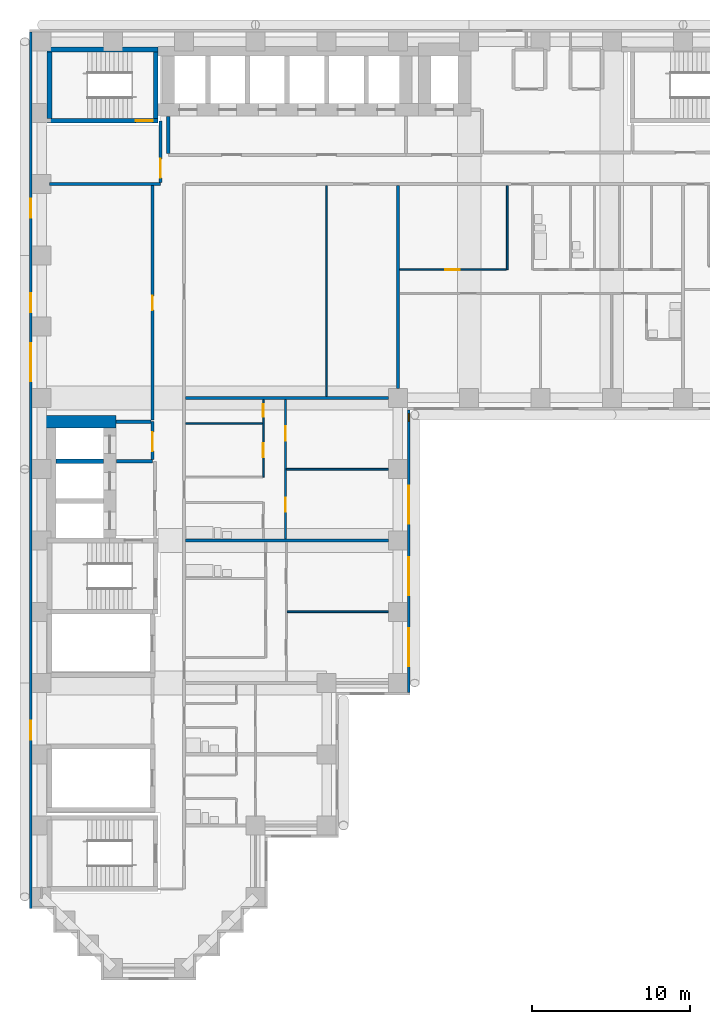
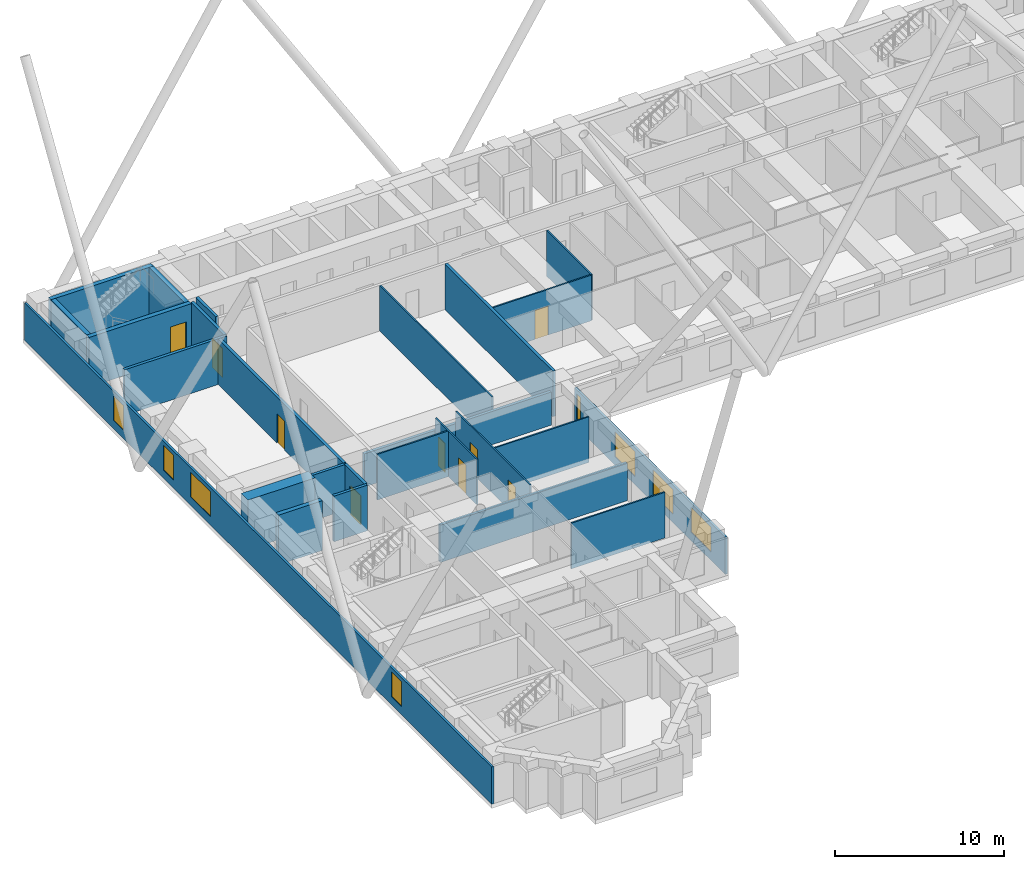
# One storey, part 10 of 20: 26 walls, 9 doors, 8 windows, 17 openings.
"""IFC4 building model written with IfcOpenShell, lengths in metres."""

from ifc_helpers import new_model, si_unit, direction, frame, frame_2d, origin, place, context, subcontext, project, spatial, rectangle, extrude, material, layer, layer_set, type_object, element, fill, save


model = new_model("IFC4")

# Units and contexts
model_context = context("Model", 3, precision=1e-05, world=origin(), true_north=direction((0.0, 1.0)))
body_context = subcontext(model_context, "Body", "Model", "MODEL_VIEW")
ifc_project = project(units=[si_unit("LENGTHUNIT", "METRE"), si_unit("AREAUNIT", "SQUARE_METRE"), si_unit("VOLUMEUNIT", "CUBIC_METRE"), si_unit("PLANEANGLEUNIT", "RADIAN"), si_unit("MASSUNIT", "GRAM", prefix="KILO")], contexts=[model_context])

# Site, building, storey
site_placement = place(None, origin())
site = spatial("IfcSite", under=ifc_project, at=site_placement, CompositionType="ELEMENT")
building_placement = place(site_placement, origin())
building = spatial("IfcBuilding", under=site, at=building_placement, Name="Firuza Court", CompositionType="ELEMENT")
storey_placement = place(building_placement, frame((0.0, 0.0, 29.0)))
storey = spatial("IfcBuildingStorey", under=building, at=storey_placement, Name="L05", CompositionType="ELEMENT", Elevation=29.0)

# Wall, opening, door
ifc_material_1 = material(Name="Concrete C60/75", Category="concrete")
ifc_layer_1 = layer(ifc_material_1, 0.300048828125)
ifc_layer_set_1 = layer_set([ifc_layer_1], Name="Concrete C60/75")
wall_type_1 = type_object("IfcWallType", Name="Core wall 300 C60/75", PredefinedType="SHEAR", material=ifc_layer_set_1)
wall_1_placement = place(storey_placement, frame((0.35009765625, 53.5, -0.300048828125), z_axis=(0.0, 0.0, 1.0), x_axis=(1.0, 0.0, 0.0)))
wall_1 = element("IfcWall", 1, at=wall_1_placement, inside=storey, type_object=wall_type_1, Name="Core wall stair L05", PredefinedType="SHEAR", context=body_context, shape_type="SweptSolid", body=[
    extrude(rectangle(XDim=7.0, YDim=0.300048828125, at=frame_2d((3.5, 0.0))), origin(), (0.0, 0.0, 1.0), 3.60009765625),
])
opening_1_placement = place(wall_1_placement, frame((5.580078125, 0.0, 0.300048828125)))
opening_1 = element("IfcOpeningElement", 2, at=opening_1_placement, cuts=wall_1, Name="Opening D05016", PredefinedType="OPENING", context=body_context, shape_type="SweptSolid", body=[
    extrude(rectangle(XDim=1.10009765625, YDim=2.10009765625, at=frame_2d((0.550048828125, 1.050048828125))), frame((0.0, 0.162109375, 0.0), z_axis=(0.0, -1.0, 0.0), x_axis=(1.0, 0.0, 0.0)), (0.0, 0.0, 1.0), 0.323974609375),
])
ifc_material_2 = material(Name="Timber door leaf in hardwood frame", Category="wood")
door_type_1 = type_object("IfcDoorType", Name="Stair door 1100", OperationType="SINGLE_SWING_LEFT", PredefinedType="DOOR", material=ifc_material_2)
door_1_placement = place(opening_1_placement, origin())
door_1 = element("IfcDoor", 3, at=door_1_placement, inside=storey, type_object=door_type_1, Name="Stair door S3", OperationType="SINGLE_SWING_RIGHT", OverallHeight=2.10009765625, OverallWidth=1.10009765625, PredefinedType="DOOR", context=body_context, shape_type="SweptSolid", body=[
    extrude(rectangle(XDim=1.10009765625, YDim=2.10009765625, at=frame_2d((0.550048828125, 1.050048828125))), frame((0.0, 0.02490234375, 0.0), z_axis=(0.0, -1.0, 0.0), x_axis=(1.0, 0.0, 0.0)), (0.0, 0.0, 1.0), 0.050048828125),
])
fill(opening_1, door_1)

# Walls
wall_2_placement = place(storey_placement, frame((0.35009765625, 58.0, -0.300048828125), z_axis=(0.0, 0.0, 1.0), x_axis=(1.0, 0.0, 0.0)))
element("IfcWall", 4, at=wall_2_placement, inside=storey, type_object=wall_type_1, Name="Core wall stair L05", PredefinedType="SHEAR", context=body_context, shape_type="SweptSolid", body=[
    extrude(rectangle(XDim=7.0, YDim=0.300048828125, at=frame_2d((3.5, 0.0))), origin(), (0.0, 0.0, 1.0), 3.60009765625),
])
wall_3_placement = place(storey_placement, frame((0.5, 53.64990234375, -0.300048828125), z_axis=(0.0, 0.0, 1.0), x_axis=(0.0, 1.0, 0.0)))
element("IfcWall", 5, at=wall_3_placement, inside=storey, type_object=wall_type_1, Name="Core wall stair L05", PredefinedType="SHEAR", context=body_context, shape_type="SweptSolid", body=[
    extrude(rectangle(XDim=4.2001953125, YDim=0.300048828125, at=frame_2d((2.10009765625, 0.0))), origin(), (0.0, 0.0, 1.0), 3.60009765625),
])
wall_4_placement = place(storey_placement, frame((0.89990234375, 32.0, -0.300048828125), z_axis=(0.0, 0.0, 1.0), x_axis=(1.0, 0.0, 0.0)))
element("IfcWall", 6, at=wall_4_placement, inside=storey, type_object=wall_type_1, Name="Core wall lift shaft L05", PredefinedType="SHEAR", context=body_context, shape_type="SweptSolid", body=[
    extrude(rectangle(XDim=3.0, YDim=0.300048828125, at=frame_2d((1.5, 0.0))), origin(), (0.0, 0.0, 1.0), 3.60009765625),
])
wall_5_placement = place(storey_placement, frame((7.199951171875, 53.64990234375, -0.300048828125), z_axis=(0.0, 0.0, 1.0), x_axis=(0.0, 1.0, 0.0)))
element("IfcWall", 7, at=wall_5_placement, inside=storey, type_object=wall_type_1, Name="Core wall stair L05", PredefinedType="SHEAR", context=body_context, shape_type="SweptSolid", body=[
    extrude(rectangle(XDim=4.2001953125, YDim=0.300048828125, at=frame_2d((2.10009765625, 0.0))), origin(), (0.0, 0.0, 1.0), 3.60009765625),
])
ifc_layer_2 = layer(ifc_material_1, 0.800048828125)
ifc_layer_set_2 = layer_set([ifc_layer_2], Name="Concrete C60/75")
wall_type_2 = type_object("IfcWallType", Name="Core wall 800 C60/75", PredefinedType="SHEAR", material=ifc_layer_set_2)
wall_6_placement = place(storey_placement, frame((0.10009765625, 34.5, -0.300048828125), z_axis=(0.0, 0.0, 1.0), x_axis=(1.0, 0.0, 0.0)))
element("IfcWall", 8, at=wall_6_placement, inside=storey, type_object=wall_type_2, Name="Core wall lift shaft L05", PredefinedType="SHEAR", context=body_context, shape_type="SweptSolid", body=[
    extrude(rectangle(XDim=4.599853515625, YDim=0.800048828125, at=frame_2d((2.2998046875, 0.0))), origin(), (0.0, 0.0, 1.0), 3.60009765625),
])

# Wall, opening, door
ifc_material_3 = material(Name="Blockwork, plastered both sides", Category="masonry")
ifc_layer_3 = layer(ifc_material_3, 0.199951171875)
ifc_layer_set_3 = layer_set([ifc_layer_3], Name="Blockwork, plastered both sides")
wall_type_3 = type_object("IfcWallType", Name="Corridor wall 200", PredefinedType="PARTITIONING", material=ifc_layer_set_3)
wall_7_placement = place(storey_placement, frame((7.0, 34.60009765625, 0.0), z_axis=(0.0, 0.0, 1.0), x_axis=(0.0, 1.0, 0.0)))
wall_7 = element("IfcWall", 9, at=wall_7_placement, inside=storey, type_object=wall_type_3, Name="Corridor wall 200 L05", PredefinedType="PARTITIONING", context=body_context, shape_type="SweptSolid", body=[
    extrude(rectangle(XDim=14.7998046875, YDim=0.199951171875, at=frame_2d((7.39990234375, 0.0))), origin(), (0.0, 0.0, 1.0), 3.300048828125),
])
opening_2_placement = place(wall_7_placement, frame((6.949951171875, 0.0, 0.0)))
opening_2 = element("IfcOpeningElement", 10, at=opening_2_placement, cuts=wall_7, Name="Opening D05041", PredefinedType="OPENING", context=body_context, shape_type="SweptSolid", body=[
    extrude(rectangle(XDim=0.89990234375, YDim=2.10009765625, at=frame_2d((0.449951171875, 1.050048828125))), frame((0.0, 0.11181640625, 0.0), z_axis=(0.0, -1.0, 0.0), x_axis=(1.0, 0.0, 0.0)), (0.0, 0.0, 1.0), 0.223876953125),
])
ifc_material_4 = material(Name="Timber door leaf in hardwood frame", Category="wood")
door_type_2 = type_object("IfcDoorType", Name="Room door 900 EI 30", OperationType="SINGLE_SWING_LEFT", PredefinedType="DOOR", material=ifc_material_4)
door_2_placement = place(opening_2_placement, origin())
door_2 = element("IfcDoor", 11, at=door_2_placement, inside=storey, type_object=door_type_2, Name="Residents' workroom door", OperationType="SINGLE_SWING_LEFT", OverallHeight=2.10009765625, OverallWidth=0.89990234375, PredefinedType="DOOR", context=body_context, shape_type="SweptSolid", body=[
    extrude(rectangle(XDim=0.89990234375, YDim=2.10009765625, at=frame_2d((0.449951171875, 1.050048828125))), frame((0.0, 0.02490234375, 0.0), z_axis=(0.0, -1.0, 0.0), x_axis=(1.0, 0.0, 0.0)), (0.0, 0.0, 1.0), 0.050048828125),
])
fill(opening_2, door_2)

# Wall
ifc_material_5 = material(Name="Timber stud partition, plasterboard both sides", Category="wood")
ifc_layer_4 = layer(ifc_material_5, 0.10009765625)
ifc_layer_set_4 = layer_set([ifc_layer_4], Name="Timber stud partition, plasterboard both sides")
wall_type_4 = type_object("IfcWallType", Name="Partition wall 100", PredefinedType="PARTITIONING", material=ifc_layer_set_4)
wall_8_placement = place(storey_placement, frame((15.5, 22.5, 0.0), z_axis=(0.0, 0.0, 1.0), x_axis=(1.0, 0.0, 0.0)))
element("IfcWall", 12, at=wall_8_placement, inside=storey, type_object=wall_type_4, Name="Partition wall 100 L05", PredefinedType="PARTITIONING", context=body_context, shape_type="SweptSolid", body=[
    extrude(rectangle(XDim=6.39990234375, YDim=0.10009765625, at=frame_2d((3.199951171875, 0.0))), origin(), (0.0, 0.0, 1.0), 3.300048828125),
])

# Wall, openings, doors
wall_9_placement = place(storey_placement, frame((15.39990234375, 27.10009765625, 0.0), z_axis=(0.0, 0.0, 1.0), x_axis=(0.0, 1.0, 0.0)))
wall_9 = element("IfcWall", 13, at=wall_9_placement, inside=storey, type_object=wall_type_4, Name="Partition wall 100 L05", PredefinedType="PARTITIONING", context=body_context, shape_type="SweptSolid", body=[
    extrude(rectangle(XDim=8.7998046875, YDim=0.10009765625, at=frame_2d((4.39990234375, 0.0))), origin(), (0.0, 0.0, 1.0), 3.300048828125),
])
opening_3_placement = place(wall_9_placement, frame((1.699951171875, 0.0, 0.0)))
opening_3 = element("IfcOpeningElement", 14, at=opening_3_placement, cuts=wall_9, Name="Opening D05037", PredefinedType="OPENING", context=body_context, shape_type="SweptSolid", body=[
    extrude(rectangle(XDim=0.89990234375, YDim=2.10009765625, at=frame_2d((0.449951171875, 1.050048828125))), frame((0.0, 0.06201171875, 0.0), z_axis=(0.0, -1.0, 0.0), x_axis=(1.0, 0.0, 0.0)), (0.0, 0.0, 1.0), 0.1240234375),
])
opening_4_placement = place(wall_9_placement, frame((6.199951171875, 0.0, 0.0)))
opening_4 = element("IfcOpeningElement", 15, at=opening_4_placement, cuts=wall_9, Name="Opening D05038", PredefinedType="OPENING", context=body_context, shape_type="SweptSolid", body=[
    extrude(rectangle(XDim=0.89990234375, YDim=2.10009765625, at=frame_2d((0.449951171875, 1.050048828125))), frame((0.0, 0.06201171875, 0.0), z_axis=(0.0, -1.0, 0.0), x_axis=(1.0, 0.0, 0.0)), (0.0, 0.0, 1.0), 0.1240234375),
])
ifc_material_6 = material(Name="Timber door leaf in hardwood frame", Category="wood")
door_type_3 = type_object("IfcDoorType", Name="Room door 900", OperationType="SINGLE_SWING_LEFT", PredefinedType="DOOR", material=ifc_material_6)
door_3_placement = place(opening_3_placement, frame((0.89990234375, 0.0, 0.0), z_axis=(0.0, 0.0, 1.0), x_axis=(-1.0, 0.0, 0.0)))
door_3 = element("IfcDoor", 16, at=door_3_placement, inside=storey, type_object=door_type_3, Name="Bedroom door", OperationType="SINGLE_SWING_RIGHT", OverallHeight=2.10009765625, OverallWidth=0.89990234375, PredefinedType="DOOR", context=body_context, shape_type="SweptSolid", body=[
    extrude(rectangle(XDim=0.89990234375, YDim=2.10009765625, at=frame_2d((0.449951171875, 1.050048828125))), frame((0.0, 0.02490234375, 0.0), z_axis=(0.0, -1.0, 0.0), x_axis=(1.0, 0.0, 0.0)), (0.0, 0.0, 1.0), 0.050048828125),
])
fill(opening_3, door_3)
door_4_placement = place(opening_4_placement, frame((0.89990234375, 0.0, 0.0), z_axis=(0.0, 0.0, 1.0), x_axis=(-1.0, 0.0, 0.0)))
door_4 = element("IfcDoor", 17, at=door_4_placement, inside=storey, type_object=door_type_3, Name="Living room door", OperationType="SINGLE_SWING_RIGHT", OverallHeight=2.10009765625, OverallWidth=0.89990234375, PredefinedType="DOOR", context=body_context, shape_type="SweptSolid", body=[
    extrude(rectangle(XDim=0.89990234375, YDim=2.10009765625, at=frame_2d((0.449951171875, 1.050048828125))), frame((0.0, 0.02490234375, 0.0), z_axis=(0.0, -1.0, 0.0), x_axis=(1.0, 0.0, 0.0)), (0.0, 0.0, 1.0), 0.050048828125),
])
fill(opening_4, door_4)

wall_10_placement = place(storey_placement, frame((14.0, 31.0, 0.0), z_axis=(0.0, 0.0, 1.0), x_axis=(0.0, 1.0, 0.0)))
wall_10 = element("IfcWall", 18, at=wall_10_placement, inside=storey, type_object=wall_type_4, Name="Partition wall 100 L05", PredefinedType="PARTITIONING", context=body_context, shape_type="SweptSolid", body=[
    extrude(rectangle(XDim=4.89990234375, YDim=0.10009765625, at=frame_2d((2.449951171875, 0.0))), origin(), (0.0, 0.0, 1.0), 3.300048828125),
])
opening_5_placement = place(wall_10_placement, frame((1.25, 0.0, 0.0)))
opening_5 = element("IfcOpeningElement", 19, at=opening_5_placement, cuts=wall_10, Name="Opening D05039", PredefinedType="OPENING", context=body_context, shape_type="SweptSolid", body=[
    extrude(rectangle(XDim=0.89990234375, YDim=2.10009765625, at=frame_2d((0.449951171875, 1.050048828125))), frame((0.0, 0.06201171875, 0.0), z_axis=(0.0, -1.0, 0.0), x_axis=(1.0, 0.0, 0.0)), (0.0, 0.0, 1.0), 0.1240234375),
])
opening_6_placement = place(wall_10_placement, frame((3.800048828125, 0.0, 0.0)))
opening_6 = element("IfcOpeningElement", 20, at=opening_6_placement, cuts=wall_10, Name="Opening D05040", PredefinedType="OPENING", context=body_context, shape_type="SweptSolid", body=[
    extrude(rectangle(XDim=0.800048828125, YDim=2.10009765625, at=frame_2d((0.39990234375, 1.050048828125))), frame((0.0, 0.06201171875, 0.0), z_axis=(0.0, -1.0, 0.0), x_axis=(1.0, 0.0, 0.0)), (0.0, 0.0, 1.0), 0.1240234375),
])
ifc_material_7 = material(Name="Timber door leaf in hardwood frame", Category="wood")
door_type_4 = type_object("IfcDoorType", Name="Room door 800", OperationType="SINGLE_SWING_LEFT", PredefinedType="DOOR", material=ifc_material_7)
door_5_placement = place(opening_6_placement, origin())
door_5 = element("IfcDoor", 21, at=door_5_placement, inside=storey, type_object=door_type_4, Name="Store door", OperationType="SINGLE_SWING_LEFT", OverallHeight=2.10009765625, OverallWidth=0.800048828125, PredefinedType="DOOR", context=body_context, shape_type="SweptSolid", body=[
    extrude(rectangle(XDim=0.800048828125, YDim=2.10009765625, at=frame_2d((0.39990234375, 1.050048828125))), frame((0.0, 0.02490234375, 0.0), z_axis=(0.0, -1.0, 0.0), x_axis=(1.0, 0.0, 0.0)), (0.0, 0.0, 1.0), 0.050048828125),
])
fill(opening_6, door_5)
door_6_placement = place(opening_5_placement, origin())
door_6 = element("IfcDoor", 22, at=door_6_placement, inside=storey, type_object=door_type_3, Name="Kitchen door", OperationType="SINGLE_SWING_LEFT", OverallHeight=2.10009765625, OverallWidth=0.89990234375, PredefinedType="DOOR", context=body_context, shape_type="SweptSolid", body=[
    extrude(rectangle(XDim=0.89990234375, YDim=2.10009765625, at=frame_2d((0.449951171875, 1.050048828125))), frame((0.0, 0.02490234375, 0.0), z_axis=(0.0, -1.0, 0.0), x_axis=(1.0, 0.0, 0.0)), (0.0, 0.0, 1.0), 0.050048828125),
])
fill(opening_5, door_6)

# Walls
wall_11_placement = place(storey_placement, frame((15.449951171875, 31.5, 0.0), z_axis=(0.0, 0.0, 1.0), x_axis=(1.0, 0.0, 0.0)))
element("IfcWall", 23, at=wall_11_placement, inside=storey, type_object=wall_type_4, Name="Partition wall 100 L05", PredefinedType="PARTITIONING", context=body_context, shape_type="SweptSolid", body=[
    extrude(rectangle(XDim=6.449951171875, YDim=0.10009765625, at=frame_2d((3.22509765625, 0.0))), origin(), (0.0, 0.0, 1.0), 3.300048828125),
])
wall_12_placement = place(storey_placement, frame((9.10009765625, 34.39990234375, 0.0), z_axis=(0.0, 0.0, 1.0), x_axis=(1.0, 0.0, 0.0)))
element("IfcWall", 24, at=wall_12_placement, inside=storey, type_object=wall_type_4, Name="Partition wall 100 L05", PredefinedType="PARTITIONING", context=body_context, shape_type="SweptSolid", body=[
    extrude(rectangle(XDim=4.849853515625, YDim=0.10009765625, at=frame_2d((2.4248046875, 0.0))), origin(), (0.0, 0.0, 1.0), 3.300048828125),
])
wall_13_placement = place(storey_placement, frame((18.0, 36.10009765625, 0.0), z_axis=(0.0, 0.0, 1.0), x_axis=(0.0, 1.0, 0.0)))
element("IfcWall", 25, at=wall_13_placement, inside=storey, type_object=wall_type_4, Name="Partition wall 100 L05", PredefinedType="PARTITIONING", context=body_context, shape_type="SweptSolid", body=[
    extrude(rectangle(XDim=13.2998046875, YDim=0.10009765625, at=frame_2d((6.64990234375, 0.0))), origin(), (0.0, 0.0, 1.0), 3.300048828125),
])

# Wall, opening, door
wall_14_placement = place(storey_placement, frame((22.60009765625, 44.10009765625, 0.0), z_axis=(0.0, 0.0, 1.0), x_axis=(1.0, 0.0, 0.0)))
wall_14 = element("IfcWall", 26, at=wall_14_placement, inside=storey, type_object=wall_type_4, Name="Partition wall 100 L05", PredefinedType="PARTITIONING", context=body_context, shape_type="SweptSolid", body=[
    extrude(rectangle(XDim=6.75, YDim=0.10009765625, at=frame_2d((3.375, 0.0))), origin(), (0.0, 0.0, 1.0), 3.300048828125),
])
opening_7_placement = place(wall_14_placement, frame((2.89990234375, 0.0, 0.0)))
opening_7 = element("IfcOpeningElement", 27, at=opening_7_placement, cuts=wall_14, Name="Opening D05051", PredefinedType="OPENING", context=body_context, shape_type="SweptSolid", body=[
    extrude(rectangle(XDim=0.89990234375, YDim=2.10009765625, at=frame_2d((0.449951171875, 1.050048828125))), frame((0.0, 0.06201171875, 0.0), z_axis=(0.0, -1.0, 0.0), x_axis=(1.0, 0.0, 0.0)), (0.0, 0.0, 1.0), 0.1240234375),
])
door_7_placement = place(opening_7_placement, origin())
door_7 = element("IfcDoor", 28, at=door_7_placement, inside=storey, type_object=door_type_3, Name="Kitchen door", OperationType="SINGLE_SWING_LEFT", OverallHeight=2.10009765625, OverallWidth=0.89990234375, PredefinedType="DOOR", context=body_context, shape_type="SweptSolid", body=[
    extrude(rectangle(XDim=0.89990234375, YDim=2.10009765625, at=frame_2d((0.449951171875, 1.050048828125))), frame((0.0, 0.02490234375, 0.0), z_axis=(0.0, -1.0, 0.0), x_axis=(1.0, 0.0, 0.0)), (0.0, 0.0, 1.0), 0.050048828125),
])
fill(opening_7, door_7)

# Walls
wall_15_placement = place(storey_placement, frame((29.39990234375, 44.10009765625, 0.0), z_axis=(0.0, 0.0, 1.0), x_axis=(0.0, 1.0, 0.0)))
element("IfcWall", 29, at=wall_15_placement, inside=storey, type_object=wall_type_4, Name="Partition wall 100 L05", PredefinedType="PARTITIONING", context=body_context, shape_type="SweptSolid", body=[
    extrude(rectangle(XDim=5.2998046875, YDim=0.10009765625, at=frame_2d((2.64990234375, 0.0))), origin(), (0.0, 0.0, 1.0), 3.300048828125),
])
ifc_layer_5 = layer(ifc_material_3, 0.199951171875)
ifc_layer_set_5 = layer_set([ifc_layer_5], Name="Blockwork, plastered both sides")
wall_type_5 = type_object("IfcWallType", Name="Party wall 200", PredefinedType="PARTITIONING", material=ifc_layer_set_5)
wall_16_placement = place(storey_placement, frame((9.10009765625, 27.0, 0.0), z_axis=(0.0, 0.0, 1.0), x_axis=(1.0, 0.0, 0.0)))
element("IfcWall", 30, at=wall_16_placement, inside=storey, type_object=wall_type_5, Name="Party wall 200 L05", PredefinedType="PARTITIONING", context=body_context, shape_type="SweptSolid", body=[
    extrude(rectangle(XDim=12.7998046875, YDim=0.199951171875, at=frame_2d((6.39990234375, 0.0))), origin(), (0.0, 0.0, 1.0), 2.699951171875),
])
wall_17_placement = place(storey_placement, frame((9.10009765625, 36.0, 0.0), z_axis=(0.0, 0.0, 1.0), x_axis=(1.0, 0.0, 0.0)))
element("IfcWall", 31, at=wall_17_placement, inside=storey, type_object=wall_type_5, Name="Party wall 200 L05", PredefinedType="PARTITIONING", context=body_context, shape_type="SweptSolid", body=[
    extrude(rectangle(XDim=12.7998046875, YDim=0.199951171875, at=frame_2d((6.39990234375, 0.0))), origin(), (0.0, 0.0, 1.0), 2.39990234375),
])
wall_18_placement = place(storey_placement, frame((22.5, 36.60009765625, 0.0), z_axis=(0.0, 0.0, 1.0), x_axis=(0.0, 1.0, 0.0)))
element("IfcWall", 32, at=wall_18_placement, inside=storey, type_object=wall_type_5, Name="Party wall 200 L05", PredefinedType="PARTITIONING", context=body_context, shape_type="SweptSolid", body=[
    extrude(rectangle(XDim=12.7998046875, YDim=0.199951171875, at=frame_2d((6.39990234375, 0.0))), origin(), (0.0, 0.0, 1.0), 3.300048828125),
])

# Wall, openings, windows
ifc_material_8 = material(Name="Ceramic tile", Category="ceramic")
ifc_layer_6 = layer(ifc_material_8, 0.02001953125)
ifc_material_9 = material(Name="Mineral wool insulation", Category="insulation")
ifc_layer_7 = layer(ifc_material_9, 0.050048828125)
ifc_material_10 = material(Name="Concrete C40/50 precast", Category="concrete")
ifc_layer_8 = layer(ifc_material_10, 0.080078125)
ifc_layer_set_6 = layer_set([ifc_layer_6, ifc_layer_7, ifc_layer_8], Name="Concrete C40/50 precast")
wall_type_6 = type_object("IfcWallType", Name="Precast cladding wall with turquoise TILE PANEL face 150", PredefinedType="STANDARD", material=ifc_layer_set_6)
wall_19_placement = place(storey_placement, frame((23.175048828125, 17.39990234375, 0.0), z_axis=(0.0, 0.0, 1.0), x_axis=(0.0, 1.0, 0.0)))
wall_19 = element("IfcWall", 33, at=wall_19_placement, inside=storey, type_object=wall_type_6, Name="Facade wall L05 E", PredefinedType="STANDARD", context=body_context, shape_type="SweptSolid", body=[
    extrude(rectangle(XDim=17.85009765625, YDim=0.14990234375, at=frame_2d((8.925048828125, 0.0))), origin(), (0.0, 0.0, 1.0), 2.699951171875),
])
opening_8_placement = place(wall_19_placement, frame((1.64990234375, 0.0, 0.60009765625)))
opening_8 = element("IfcOpeningElement", 34, at=opening_8_placement, cuts=wall_19, Name="Opening W1", PredefinedType="OPENING", context=body_context, shape_type="SweptSolid", body=[
    extrude(rectangle(XDim=2.39990234375, YDim=1.800048828125, at=frame_2d((1.199951171875, 0.89990234375))), frame((0.0, 0.0869140625, 0.0), z_axis=(0.0, -1.0, 0.0), x_axis=(1.0, 0.0, 0.0)), (0.0, 0.0, 1.0), 0.173828125),
])
opening_9_placement = place(wall_19_placement, frame((6.14990234375, 0.0, 0.60009765625)))
opening_9 = element("IfcOpeningElement", 35, at=opening_9_placement, cuts=wall_19, Name="Opening W1", PredefinedType="OPENING", context=body_context, shape_type="SweptSolid", body=[
    extrude(rectangle(XDim=2.39990234375, YDim=1.800048828125, at=frame_2d((1.199951171875, 0.89990234375))), frame((0.0, 0.0869140625, 0.0), z_axis=(0.0, -1.0, 0.0), x_axis=(1.0, 0.0, 0.0)), (0.0, 0.0, 1.0), 0.173828125),
])
opening_10_placement = place(wall_19_placement, frame((10.64990234375, 0.0, 0.60009765625)))
opening_10 = element("IfcOpeningElement", 36, at=opening_10_placement, cuts=wall_19, Name="Opening W1", PredefinedType="OPENING", context=body_context, shape_type="SweptSolid", body=[
    extrude(rectangle(XDim=2.39990234375, YDim=1.800048828125, at=frame_2d((1.199951171875, 0.89990234375))), frame((0.0, 0.0869140625, 0.0), z_axis=(0.0, -1.0, 0.0), x_axis=(1.0, 0.0, 0.0)), (0.0, 0.0, 1.0), 0.173828125),
])
opening_11_placement = place(wall_19_placement, frame((17.137939453125, 0.0, 0.60009765625)))
opening_11 = element("IfcOpeningElement", 37, at=opening_11_placement, cuts=wall_19, Name="Opening W5", PredefinedType="OPENING", context=body_context, shape_type="SweptSolid", body=[
    extrude(rectangle(XDim=0.449951171875, YDim=1.800048828125, at=frame_2d((0.22509765625, 0.89990234375))), frame((0.0, 0.0869140625, 0.0), z_axis=(0.0, -1.0, 0.0), x_axis=(1.0, 0.0, 0.0)), (0.0, 0.0, 1.0), 0.173828125),
])
ifc_material_11 = material(Name="Aluminium frame, triple clear glazing", Category="aluminium")
window_type_1 = type_object("IfcWindowType", Name="Window W1 2400 x 1800", PartitioningType="SINGLE_PANEL", PredefinedType="WINDOW", material=ifc_material_11)
window_1_placement = place(opening_8_placement, origin())
window_1 = element("IfcWindow", 38, at=window_1_placement, inside=storey, type_object=window_type_1, Name="Window L05", OverallHeight=1.800048828125, OverallWidth=2.39990234375, PartitioningType="SINGLE_PANEL", PredefinedType="WINDOW", context=body_context, shape_type="SweptSolid", body=[
    extrude(rectangle(XDim=2.39990234375, YDim=1.800048828125, at=frame_2d((1.199951171875, 0.89990234375))), frame((0.0, 0.030029296875, 0.0), z_axis=(0.0, -1.0, 0.0), x_axis=(1.0, 0.0, 0.0)), (0.0, 0.0, 1.0), 0.06005859375),
])
fill(opening_8, window_1)
window_2_placement = place(opening_9_placement, origin())
window_2 = element("IfcWindow", 39, at=window_2_placement, inside=storey, type_object=window_type_1, Name="Window L05", OverallHeight=1.800048828125, OverallWidth=2.39990234375, PartitioningType="SINGLE_PANEL", PredefinedType="WINDOW", context=body_context, shape_type="SweptSolid", body=[
    extrude(rectangle(XDim=2.39990234375, YDim=1.800048828125, at=frame_2d((1.199951171875, 0.89990234375))), frame((0.0, 0.030029296875, 0.0), z_axis=(0.0, -1.0, 0.0), x_axis=(1.0, 0.0, 0.0)), (0.0, 0.0, 1.0), 0.06005859375),
])
fill(opening_9, window_2)
window_3_placement = place(opening_10_placement, origin())
window_3 = element("IfcWindow", 40, at=window_3_placement, inside=storey, type_object=window_type_1, Name="Window L05", OverallHeight=1.800048828125, OverallWidth=2.39990234375, PartitioningType="SINGLE_PANEL", PredefinedType="WINDOW", context=body_context, shape_type="SweptSolid", body=[
    extrude(rectangle(XDim=2.39990234375, YDim=1.800048828125, at=frame_2d((1.199951171875, 0.89990234375))), frame((0.0, 0.030029296875, 0.0), z_axis=(0.0, -1.0, 0.0), x_axis=(1.0, 0.0, 0.0)), (0.0, 0.0, 1.0), 0.06005859375),
])
fill(opening_10, window_3)
ifc_material_12 = material(Name="Aluminium frame, triple clear glazing", Category="aluminium")
window_type_2 = type_object("IfcWindowType", Name="Window W5 450 x 1800", PartitioningType="SINGLE_PANEL", PredefinedType="WINDOW", material=ifc_material_12)
window_4_placement = place(opening_11_placement, origin())
window_4 = element("IfcWindow", 41, at=window_4_placement, inside=storey, type_object=window_type_2, Name="Window L05", OverallHeight=1.800048828125, OverallWidth=0.449951171875, PartitioningType="SINGLE_PANEL", PredefinedType="WINDOW", context=body_context, shape_type="SweptSolid", body=[
    extrude(rectangle(XDim=0.449951171875, YDim=1.800048828125, at=frame_2d((0.22509765625, 0.89990234375))), frame((0.0, 0.030029296875, 0.0), z_axis=(0.0, -1.0, 0.0), x_axis=(1.0, 0.0, 0.0)), (0.0, 0.0, 1.0), 0.06005859375),
])
fill(opening_11, window_4)

wall_20_placement = place(storey_placement, frame((-0.675048828125, 59.10009765625, 0.0), z_axis=(0.0, 0.0, 1.0), x_axis=(0.0, -1.0, 0.0)))
wall_20 = element("IfcWall", 42, at=wall_20_placement, inside=storey, type_object=wall_type_6, Name="Facade wall L05 W", PredefinedType="STANDARD", context=body_context, shape_type="SweptSolid", body=[
    extrude(rectangle(XDim=55.35009765625, YDim=0.14990234375, at=frame_2d((27.675048828125, 0.0))), origin(), (0.0, 0.0, 1.0), 2.699951171875),
])
opening_12_placement = place(wall_20_placement, frame((10.523193359375, 0.0, 0.60009765625)))
opening_12 = element("IfcOpeningElement", 43, at=opening_12_placement, cuts=wall_20, Name="Opening W8", PredefinedType="OPENING", context=body_context, shape_type="SweptSolid", body=[
    extrude(rectangle(XDim=1.199951171875, YDim=1.800048828125, at=frame_2d((0.60009765625, 0.89990234375))), frame((0.0, 0.0869140625, 0.0), z_axis=(0.0, -1.0, 0.0), x_axis=(1.0, 0.0, 0.0)), (0.0, 0.0, 1.0), 0.173828125),
])
opening_13_placement = place(wall_20_placement, frame((16.476806640625, 0.0, 0.60009765625)))
opening_13 = element("IfcOpeningElement", 44, at=opening_13_placement, cuts=wall_20, Name="Opening W8", PredefinedType="OPENING", context=body_context, shape_type="SweptSolid", body=[
    extrude(rectangle(XDim=1.199951171875, YDim=1.800048828125, at=frame_2d((0.60009765625, 0.89990234375))), frame((0.0, 0.0869140625, 0.0), z_axis=(0.0, -1.0, 0.0), x_axis=(1.0, 0.0, 0.0)), (0.0, 0.0, 1.0), 0.173828125),
])
opening_14_placement = place(wall_20_placement, frame((19.64990234375, 0.0, 0.60009765625)))
opening_14 = element("IfcOpeningElement", 45, at=opening_14_placement, cuts=wall_20, Name="Opening W1", PredefinedType="OPENING", context=body_context, shape_type="SweptSolid", body=[
    extrude(rectangle(XDim=2.39990234375, YDim=1.800048828125, at=frame_2d((1.199951171875, 0.89990234375))), frame((0.0, 0.0869140625, 0.0), z_axis=(0.0, -1.0, 0.0), x_axis=(1.0, 0.0, 0.0)), (0.0, 0.0, 1.0), 0.173828125),
])
opening_15_placement = place(wall_20_placement, frame((43.476806640625, 0.0, 0.60009765625)))
opening_15 = element("IfcOpeningElement", 46, at=opening_15_placement, cuts=wall_20, Name="Opening W8", PredefinedType="OPENING", context=body_context, shape_type="SweptSolid", body=[
    extrude(rectangle(XDim=1.199951171875, YDim=1.800048828125, at=frame_2d((0.60009765625, 0.89990234375))), frame((0.0, 0.0869140625, 0.0), z_axis=(0.0, -1.0, 0.0), x_axis=(1.0, 0.0, 0.0)), (0.0, 0.0, 1.0), 0.173828125),
])
window_5_placement = place(opening_14_placement, origin())
window_5 = element("IfcWindow", 47, at=window_5_placement, inside=storey, type_object=window_type_1, Name="Window L05", OverallHeight=1.800048828125, OverallWidth=2.39990234375, PartitioningType="SINGLE_PANEL", PredefinedType="WINDOW", context=body_context, shape_type="SweptSolid", body=[
    extrude(rectangle(XDim=2.39990234375, YDim=1.800048828125, at=frame_2d((1.199951171875, 0.89990234375))), frame((0.0, 0.030029296875, 0.0), z_axis=(0.0, -1.0, 0.0), x_axis=(1.0, 0.0, 0.0)), (0.0, 0.0, 1.0), 0.06005859375),
])
fill(opening_14, window_5)
ifc_material_13 = material(Name="Aluminium frame, triple clear glazing", Category="aluminium")
window_type_3 = type_object("IfcWindowType", Name="Window W8 1200 x 1800", PartitioningType="SINGLE_PANEL", PredefinedType="WINDOW", material=ifc_material_13)
window_6_placement = place(opening_12_placement, origin())
window_6 = element("IfcWindow", 48, at=window_6_placement, inside=storey, type_object=window_type_3, Name="Window L05", OverallHeight=1.800048828125, OverallWidth=1.199951171875, PartitioningType="SINGLE_PANEL", PredefinedType="WINDOW", context=body_context, shape_type="SweptSolid", body=[
    extrude(rectangle(XDim=1.199951171875, YDim=1.800048828125, at=frame_2d((0.60009765625, 0.89990234375))), frame((0.0, 0.030029296875, 0.0), z_axis=(0.0, -1.0, 0.0), x_axis=(1.0, 0.0, 0.0)), (0.0, 0.0, 1.0), 0.06005859375),
])
fill(opening_12, window_6)
window_7_placement = place(opening_13_placement, origin())
window_7 = element("IfcWindow", 49, at=window_7_placement, inside=storey, type_object=window_type_3, Name="Window L05", OverallHeight=1.800048828125, OverallWidth=1.199951171875, PartitioningType="SINGLE_PANEL", PredefinedType="WINDOW", context=body_context, shape_type="SweptSolid", body=[
    extrude(rectangle(XDim=1.199951171875, YDim=1.800048828125, at=frame_2d((0.60009765625, 0.89990234375))), frame((0.0, 0.030029296875, 0.0), z_axis=(0.0, -1.0, 0.0), x_axis=(1.0, 0.0, 0.0)), (0.0, 0.0, 1.0), 0.06005859375),
])
fill(opening_13, window_7)
window_8_placement = place(opening_15_placement, origin())
window_8 = element("IfcWindow", 50, at=window_8_placement, inside=storey, type_object=window_type_3, Name="Window L05", OverallHeight=1.800048828125, OverallWidth=1.199951171875, PartitioningType="SINGLE_PANEL", PredefinedType="WINDOW", context=body_context, shape_type="SweptSolid", body=[
    extrude(rectangle(XDim=1.199951171875, YDim=1.800048828125, at=frame_2d((0.60009765625, 0.89990234375))), frame((0.0, 0.030029296875, 0.0), z_axis=(0.0, -1.0, 0.0), x_axis=(1.0, 0.0, 0.0)), (0.0, 0.0, 1.0), 0.06005859375),
])
fill(opening_15, window_8)

# Walls
ifc_material_14 = material(Name="Blockwork, fire-rated", Category="masonry")
ifc_layer_9 = layer(ifc_material_14, 0.199951171875)
ifc_layer_set_7 = layer_set([ifc_layer_9], Name="Blockwork, fire-rated")
wall_type_7 = type_object("IfcWallType", Name="Shaft wall 200", PredefinedType="PARTITIONING", material=ifc_layer_set_7)
wall_21_placement = place(storey_placement, frame((8.0, 51.449951171875, 0.0), z_axis=(0.0, 0.0, 1.0), x_axis=(0.0, 1.0, 0.0)))
element("IfcWall", 51, at=wall_21_placement, inside=storey, type_object=wall_type_7, Name="Shaft wall 200 L05", PredefinedType="PARTITIONING", context=body_context, shape_type="SweptSolid", body=[
    extrude(rectangle(XDim=2.330078125, YDim=0.199951171875, at=frame_2d((1.1650390625, 0.0))), origin(), (0.0, 0.0, 1.0), 3.300048828125),
])
wall_22_placement = place(storey_placement, frame((4.719970703125, 32.0, 0.0), z_axis=(0.0, 0.0, 1.0), x_axis=(1.0, 0.0, 0.0)))
element("IfcWall", 52, at=wall_22_placement, inside=storey, type_object=wall_type_7, Name="Shaft wall 200 L05", PredefinedType="PARTITIONING", context=body_context, shape_type="SweptSolid", body=[
    extrude(rectangle(XDim=2.280029296875, YDim=0.199951171875, at=frame_2d((1.14013671875, 0.0))), origin(), (0.0, 0.0, 1.0), 3.300048828125),
])

# Wall, opening, door
wall_23_placement = place(storey_placement, frame((7.0, 32.10009765625, 0.0), z_axis=(0.0, 0.0, 1.0), x_axis=(0.0, 1.0, 0.0)))
wall_23 = element("IfcWall", 53, at=wall_23_placement, inside=storey, type_object=wall_type_7, Name="Shaft wall 200 L05", PredefinedType="PARTITIONING", context=body_context, shape_type="SweptSolid", body=[
    extrude(rectangle(XDim=2.39990234375, YDim=0.199951171875, at=frame_2d((1.199951171875, 0.0))), origin(), (0.0, 0.0, 1.0), 3.300048828125),
])
opening_16_placement = place(wall_23_placement, frame((0.550048828125, 0.0, 0.0)))
opening_16 = element("IfcOpeningElement", 54, at=opening_16_placement, cuts=wall_23, Name="Opening D05008", PredefinedType="OPENING", context=body_context, shape_type="SweptSolid", body=[
    extrude(rectangle(XDim=1.199951171875, YDim=2.10009765625, at=frame_2d((0.60009765625, 1.050048828125))), frame((0.0, 0.11181640625, 0.0), z_axis=(0.0, -1.0, 0.0), x_axis=(1.0, 0.0, 0.0)), (0.0, 0.0, 1.0), 0.223876953125),
])
ifc_material_15 = material(Name="Timber door leaf in hardwood frame", Category="wood")
door_type_5 = type_object("IfcDoorType", Name="Lobby door 1200", OperationType="SINGLE_SWING_LEFT", PredefinedType="DOOR", material=ifc_material_15)
door_8_placement = place(opening_16_placement, origin())
door_8 = element("IfcDoor", 55, at=door_8_placement, inside=storey, type_object=door_type_5, Name="Lobby door", OperationType="SINGLE_SWING_LEFT", OverallHeight=2.10009765625, OverallWidth=1.199951171875, PredefinedType="DOOR", context=body_context, shape_type="SweptSolid", body=[
    extrude(rectangle(XDim=1.199951171875, YDim=2.10009765625, at=frame_2d((0.60009765625, 1.050048828125))), frame((0.0, 0.02490234375, 0.0), z_axis=(0.0, -1.0, 0.0), x_axis=(1.0, 0.0, 0.0)), (0.0, 0.0, 1.0), 0.050048828125),
])
fill(opening_16, door_8)

# Walls
wall_24_placement = place(storey_placement, frame((4.699951171875, 34.5, 0.0), z_axis=(0.0, 0.0, 1.0), x_axis=(1.0, 0.0, 0.0)))
element("IfcWall", 56, at=wall_24_placement, inside=storey, type_object=wall_type_7, Name="Shaft wall 200 L05", PredefinedType="PARTITIONING", context=body_context, shape_type="SweptSolid", body=[
    extrude(rectangle(XDim=2.199951171875, YDim=0.199951171875, at=frame_2d((1.10009765625, 0.0))), origin(), (0.0, 0.0, 1.0), 3.300048828125),
])
wall_25_placement = place(storey_placement, frame((0.5, 49.5, 0.0), z_axis=(0.0, 0.0, 1.0), x_axis=(1.0, 0.0, 0.0)))
element("IfcWall", 57, at=wall_25_placement, inside=storey, type_object=wall_type_7, Name="Shaft wall 200 L05", PredefinedType="PARTITIONING", context=body_context, shape_type="SweptSolid", body=[
    extrude(rectangle(XDim=7.0, YDim=0.199951171875, at=frame_2d((3.5, 0.0))), origin(), (0.0, 0.0, 1.0), 3.300048828125),
])

# Wall, opening, door
wall_26_placement = place(storey_placement, frame((7.5, 49.60009765625, 0.0), z_axis=(0.0, 0.0, 1.0), x_axis=(0.0, 1.0, 0.0)))
wall_26 = element("IfcWall", 58, at=wall_26_placement, inside=storey, type_object=wall_type_7, Name="Shaft wall 200 L05", PredefinedType="PARTITIONING", context=body_context, shape_type="SweptSolid", body=[
    extrude(rectangle(XDim=3.89990234375, YDim=0.199951171875, at=frame_2d((1.949951171875, 0.0))), origin(), (0.0, 0.0, 1.0), 3.300048828125),
])
opening_17_placement = place(wall_26_placement, frame((0.300048828125, 0.0, 0.0)))
opening_17 = element("IfcOpeningElement", 59, at=opening_17_placement, cuts=wall_26, Name="Opening D05001", PredefinedType="OPENING", context=body_context, shape_type="SweptSolid", body=[
    extrude(rectangle(XDim=1.199951171875, YDim=2.10009765625, at=frame_2d((0.60009765625, 1.050048828125))), frame((0.0, 0.11181640625, 0.0), z_axis=(0.0, -1.0, 0.0), x_axis=(1.0, 0.0, 0.0)), (0.0, 0.0, 1.0), 0.223876953125),
])
door_9_placement = place(opening_17_placement, origin())
door_9 = element("IfcDoor", 60, at=door_9_placement, inside=storey, type_object=door_type_5, Name="Lobby door", OperationType="SINGLE_SWING_LEFT", OverallHeight=2.10009765625, OverallWidth=1.199951171875, PredefinedType="DOOR", context=body_context, shape_type="SweptSolid", body=[
    extrude(rectangle(XDim=1.199951171875, YDim=2.10009765625, at=frame_2d((0.60009765625, 1.050048828125))), frame((0.0, 0.02490234375, 0.0), z_axis=(0.0, -1.0, 0.0), x_axis=(1.0, 0.0, 0.0)), (0.0, 0.0, 1.0), 0.050048828125),
])
fill(opening_17, door_9)

save(model, "model.ifc")
